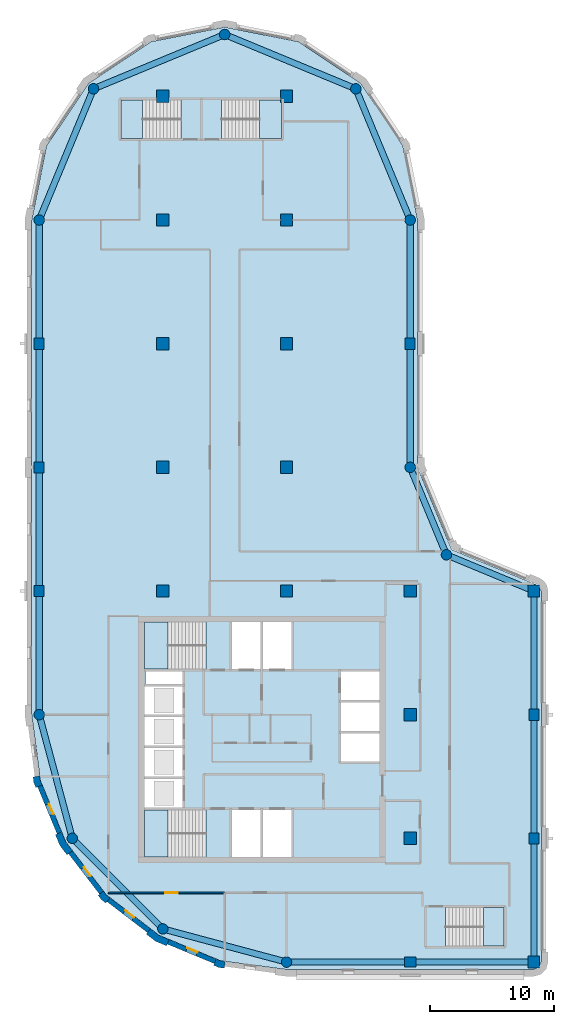
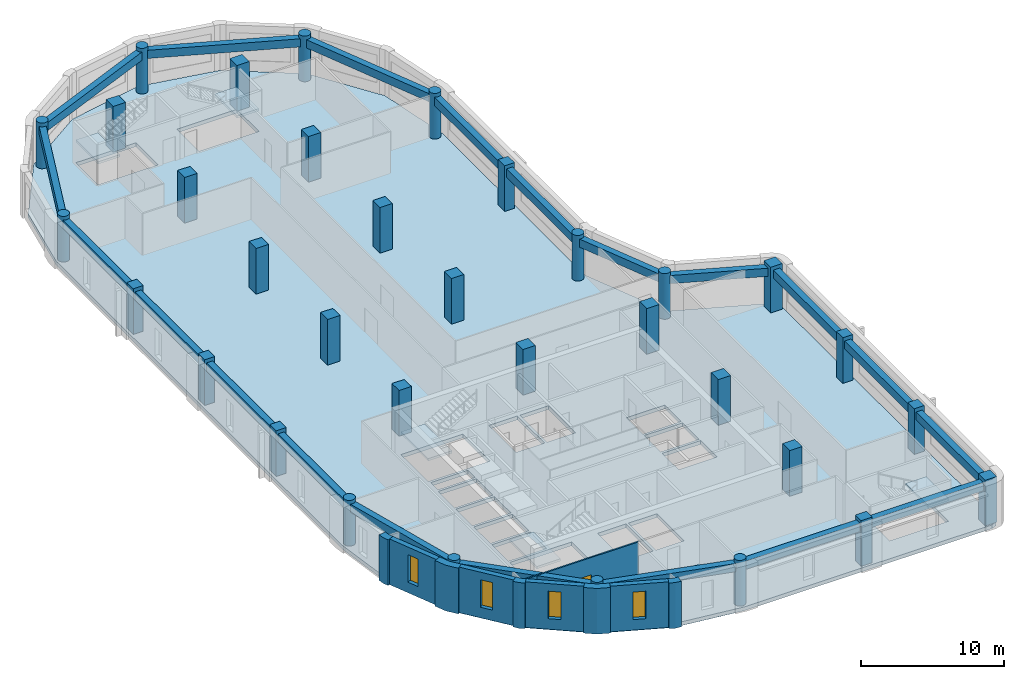
# One storey, part 1 of 8: 33 columns, 20 beams, 10 walls, 6 slabs, 4 windows, 1 door, 5 openings, 5 elements without a shape of their own.
"""IFC4 building model written with IfcOpenShell, lengths in metres."""

from ifc_helpers import new_model, si_unit, direction, frame, frame_2d, origin, origin_2d, place, context, subcontext, project, spatial, polyline, rectangle, circle, outline, extrude, material, layer, layer_set, material_profile, profile_set, type_object, element, fill, aggregate, save


model = new_model("IFC4")

# Units and contexts
model_context = context("Model", 3, precision=1e-05, world=origin(), true_north=direction((0.0, 1.0)))
body_context = subcontext(model_context, "Body", "Model", "MODEL_VIEW")
ifc_project = project(units=[si_unit("LENGTHUNIT", "METRE"), si_unit("AREAUNIT", "SQUARE_METRE"), si_unit("VOLUMEUNIT", "CUBIC_METRE"), si_unit("PLANEANGLEUNIT", "RADIAN"), si_unit("MASSUNIT", "GRAM", prefix="KILO")], contexts=[model_context])

# Site, building, storey
site_placement = place(None, origin())
site = spatial("IfcSite", under=ifc_project, at=site_placement, CompositionType="ELEMENT")
building_placement = place(site_placement, origin())
building = spatial("IfcBuilding", under=site, at=building_placement, Name="Qaws Garden Tower", CompositionType="ELEMENT")
storey_placement = place(building_placement, frame((0.0, 0.0, 286.5)))
storey = spatial("IfcBuildingStorey", under=building, at=storey_placement, Name="L69", CompositionType="ELEMENT", Elevation=286.5)

# Columns
ifc_material_1 = material(Name="Concrete C60", Category="concrete")
ifc_material_profile_1 = material_profile(ifc_material_1, rectangle(XDim=1.0, YDim=1.0, at=origin_2d()), Name="RC 1000x1000")
ifc_profile_set_1 = profile_set([ifc_material_profile_1], Name="Concrete C60")
column_type_1 = type_object("IfcColumnType", Name="Column RC 1000x1000 C60", PredefinedType="COLUMN", material=ifc_profile_set_1)
for number, where, z_axis, x_axis, name in (
    (1, (10.0, 30.0, 0.0), (0.0, 0.0, 1.0), (1.0, 0.0, 0.0), "Column L69-021"),
    (2, (10.0, 40.0, 0.0), (0.0, 0.0, 1.0), (1.0, 0.0, 0.0), "Column L69-022"),
    (3, (10.0, 50.0, 0.0), (0.0, 0.0, 1.0), (1.0, 0.0, 0.0), "Column L69-023"),
    (4, (10.0, 60.0, 0.0), (0.0, 0.0, 1.0), (1.0, 0.0, 0.0), "Column L69-024"),
    (5, (10.0, 70.0, 0.0), (0.0, 0.0, 1.0), (1.0, 0.0, 0.0), "Column L69-025"),
    (6, (20.0, 30.0, 0.0), (0.0, 0.0, 1.0), (1.0, 0.0, 0.0), "Column L69-026"),
    (7, (20.0, 40.0, 0.0), (0.0, 0.0, 1.0), (1.0, 0.0, 0.0), "Column L69-027"),
    (8, (20.0, 50.0, 0.0), (0.0, 0.0, 1.0), (1.0, 0.0, 0.0), "Column L69-028"),
    (9, (20.0, 60.0, 0.0), (0.0, 0.0, 1.0), (1.0, 0.0, 0.0), "Column L69-029"),
    (10, (20.0, 70.0, 0.0), (0.0, 0.0, 1.0), (1.0, 0.0, 0.0), "Column L69-030"),
    (11, (30.0, 10.0, 0.0), (0.0, 0.0, 1.0), (1.0, 0.0, 0.0), "Column L69-031"),
    (12, (30.0, 20.0, 0.0), (0.0, 0.0, 1.0), (1.0, 0.0, 0.0), "Column L69-032"),
    (13, (30.0, 30.0, 0.0), (0.0, 0.0, 1.0), (1.0, 0.0, 0.0), "Column L69-033"),
):
    element("IfcColumn", number, at=place(storey_placement, frame(where, z_axis=z_axis, x_axis=x_axis)), inside=storey, type_object=column_type_1, Name=name, PredefinedType="COLUMN", context=body_context, shape_type="SweptSolid", body=[
        extrude(rectangle(XDim=1.0, YDim=1.0, at=origin_2d()), origin(), (0.0, 0.0, 1.0), 3.89990234375),
    ])
ifc_material_2 = material(Name="Concrete C60", Category="concrete")
ifc_material_profile_2 = material_profile(ifc_material_2, rectangle(XDim=0.89990234375, YDim=0.800048828125, at=origin_2d()), Name="RC 900x800")
ifc_profile_set_2 = profile_set([ifc_material_profile_2], Name="Concrete C60")
column_type_2 = type_object("IfcColumnType", Name="Column RC 900x800 C60", PredefinedType="COLUMN", material=ifc_profile_set_2)
for number, where, z_axis, x_axis, name in (
    (14, (30.0, 0.0, 0.0), (0.0, 0.0, 1.0), (1.0, 0.0, 0.0), "Column L69-002"),
    (15, (40.0, 10.0, 0.0), (0.0, 0.0, 1.0), (0.0, 1.0, 0.0), "Column L69-004"),
    (16, (40.0, 20.0, 0.0), (0.0, 0.0, 1.0), (0.0, 1.0, 0.0), "Column L69-005"),
    (17, (30.0, 50.0, 0.0), (0.0, 0.0, 1.0), (0.0, 1.0, 0.0), "Column L69-009"),
    (18, (0.0, 50.0, 0.0), (0.0, 0.0, 1.0), (0.0, 1.0, 0.0), "Column L69-015"),
    (19, (0.0, 40.0, 0.0), (0.0, 0.0, 1.0), (0.0, 1.0, 0.0), "Column L69-016"),
    (20, (0.0, 30.0, 0.0), (0.0, 0.0, 1.0), (0.0, 1.0, 0.0), "Column L69-017"),
):
    element("IfcColumn", number, at=place(storey_placement, frame(where, z_axis=z_axis, x_axis=x_axis)), inside=storey, type_object=column_type_2, Name=name, PredefinedType="COLUMN", context=body_context, shape_type="SweptSolid", body=[
        extrude(rectangle(XDim=0.89990234375, YDim=0.800048828125, at=origin_2d()), origin(), (0.0, 0.0, 1.0), 3.89990234375),
    ])
ifc_material_3 = material(Name="Concrete C60", Category="concrete")
ifc_material_profile_3 = material_profile(ifc_material_3, rectangle(XDim=0.949951171875, YDim=0.949951171875, at=origin_2d()), Name="RC 950x950")
ifc_profile_set_3 = profile_set([ifc_material_profile_3], Name="Concrete C60")
column_type_3 = type_object("IfcColumnType", Name="Column RC 950x950 C60", PredefinedType="COLUMN", material=ifc_profile_set_3)
for number, where, z_axis, x_axis, name in (
    (21, (40.0, 0.0, 0.0), (0.0, 0.0, 1.0), (1.0, 0.0, 0.0), "Column L69-003"),
    (22, (40.0, 30.0, 0.0), (0.0, 0.0, 1.0), (1.0, 0.0, 0.0), "Column L69-006"),
):
    element("IfcColumn", number, at=place(storey_placement, frame(where, z_axis=z_axis, x_axis=x_axis)), inside=storey, type_object=column_type_3, Name=name, PredefinedType="COLUMN", context=body_context, shape_type="SweptSolid", body=[
        extrude(rectangle(XDim=0.949951171875, YDim=0.949951171875, at=origin_2d()), origin(), (0.0, 0.0, 1.0), 3.89990234375),
    ])
ifc_material_4 = material(Name="Concrete C60", Category="concrete")
ifc_material_profile_4 = material_profile(ifc_material_4, circle(Radius=0.425048828125, at=origin_2d()), Name="RC D850")
ifc_profile_set_4 = profile_set([ifc_material_profile_4], Name="Concrete C60")
column_type_4 = type_object("IfcColumnType", Name="Column RC D850 C60", PredefinedType="COLUMN", material=ifc_profile_set_4)
for number, where, z_axis, x_axis, name in (
    (23, (20.0, 0.0, 0.0), (0.0, 0.0, 1.0), (1.0, 0.0, 0.0), "Column L69-001"),
    (24, (32.928955078125, 32.928955078125, 0.0), (0.0, 0.0, 1.0), (1.0, 0.0, 0.0), "Column L69-007"),
    (25, (30.0, 40.0, 0.0), (0.0, 0.0, 1.0), (1.0, 0.0, 0.0), "Column L69-008"),
    (26, (30.0, 60.0, 0.0), (0.0, 0.0, 1.0), (1.0, 0.0, 0.0), "Column L69-010"),
    (27, (25.606689453125, 70.606689453125, 0.0), (0.0, 0.0, 1.0), (1.0, 0.0, 0.0), "Column L69-011"),
    (28, (15.0, 75.0, 0.0), (0.0, 0.0, 1.0), (1.0, 0.0, 0.0), "Column L69-012"),
    (29, (4.393310546875, 70.606689453125, 0.0), (0.0, 0.0, 1.0), (1.0, 0.0, 0.0), "Column L69-013"),
    (30, (0.0, 60.0, 0.0), (0.0, 0.0, 1.0), (1.0, 0.0, 0.0), "Column L69-014"),
    (31, (0.0, 20.0, 0.0), (0.0, 0.0, 1.0), (1.0, 0.0, 0.0), "Column L69-018"),
    (32, (2.679443359375, 10.0, 0.0), (0.0, 0.0, 1.0), (1.0, 0.0, 0.0), "Column L69-019"),
    (33, (10.0, 2.679443359375, 0.0), (0.0, 0.0, 1.0), (1.0, 0.0, 0.0), "Column L69-020"),
):
    element("IfcColumn", number, at=place(storey_placement, frame(where, z_axis=z_axis, x_axis=x_axis)), inside=storey, type_object=column_type_4, Name=name, PredefinedType="COLUMN", context=body_context, shape_type="SweptSolid", body=[
        extrude(circle(Radius=0.425048828125, at=origin_2d()), origin(), (0.0, 0.0, 1.0), 3.89990234375),
    ])

# Beams
ifc_material_5 = material(Name="Concrete C45", Category="concrete")
ifc_material_profile_5 = material_profile(ifc_material_5, rectangle(XDim=0.5, YDim=0.699951171875, at=origin_2d()), Name="RC 500x700")
ifc_profile_set_5 = profile_set([ifc_material_profile_5], Name="Concrete C45")
beam_type = type_object("IfcBeamType", Name="Spandrel beam RC 500x700 C45", PredefinedType="SPANDREL", material=ifc_profile_set_5)
for number, where, z_axis, x_axis, name in (
    (34, (20.0, 0.0, 3.22998046875), (1.0, 0.0, 0.0), (0.0, 1.0, 0.0), "Spandrel beam L69-001"),
    (35, (30.0, 0.0, 3.22998046875), (1.0, 0.0, 0.0), (0.0, 1.0, 0.0), "Spandrel beam L69-002"),
    (36, (40.0, 0.0, 3.22998046875), (0.0, 1.0, 0.0), (-1.0, 0.0, 0.0), "Spandrel beam L69-003"),
    (37, (40.0, 10.0, 3.22998046875), (0.0, 1.0, 0.0), (-1.0, 0.0, 0.0), "Spandrel beam L69-004"),
    (38, (40.0, 20.0, 3.22998046875), (0.0, 1.0, 0.0), (-1.0, 0.0, 0.0), "Spandrel beam L69-005"),
):
    element("IfcBeam", number, at=place(storey_placement, frame(where, z_axis=z_axis, x_axis=x_axis)), inside=storey, type_object=beam_type, Name=name, PredefinedType="SPANDREL", context=body_context, shape_type="SweptSolid", body=[
        extrude(rectangle(XDim=0.5, YDim=0.699951171875, at=origin_2d()), origin(), (0.0, 0.0, 1.0), 10.0),
    ])
for number, where, z_axis, x_axis, name in (
    (39, (40.0, 30.0, 3.22998046875), (-0.923878037141, 0.382687042488, 0.0), (-0.382687042488, -0.923878037141, 0.0), "Spandrel beam L69-006"),
    (40, (32.928955078125, 32.928955078125, 3.22998046875), (-0.382687042488, 0.923878037141, 0.0), (-0.923878037141, -0.382687042488, 0.0), "Spandrel beam L69-007"),
):
    element("IfcBeam", number, at=place(storey_placement, frame(where, z_axis=z_axis, x_axis=x_axis)), inside=storey, type_object=beam_type, Name=name, PredefinedType="SPANDREL", context=body_context, shape_type="SweptSolid", body=[
        extrude(rectangle(XDim=0.5, YDim=0.699951171875, at=origin_2d()), origin(), (0.0, 0.0, 1.0), 7.653564453125),
    ])
for number, where, z_axis, x_axis, name in (
    (41, (30.0, 40.0, 3.22998046875), (0.0, 1.0, 0.0), (-1.0, 0.0, 0.0), "Spandrel beam L69-008"),
    (42, (30.0, 50.0, 3.22998046875), (0.0, 1.0, 0.0), (-1.0, 0.0, 0.0), "Spandrel beam L69-009"),
):
    element("IfcBeam", number, at=place(storey_placement, frame(where, z_axis=z_axis, x_axis=x_axis)), inside=storey, type_object=beam_type, Name=name, PredefinedType="SPANDREL", context=body_context, shape_type="SweptSolid", body=[
        extrude(rectangle(XDim=0.5, YDim=0.699951171875, at=origin_2d()), origin(), (0.0, 0.0, 1.0), 10.0),
    ])
for number, where, z_axis, x_axis, name in (
    (43, (30.0, 60.0, 3.22998046875), (-0.382674207535, 0.923883353507, 0.0), (-0.923883353507, -0.382674207535, 0.0), "Spandrel beam L69-010"),
    (44, (25.606689453125, 70.606689453125, 3.22998046875), (-0.923883353507, 0.382674207535, 0.0), (-0.382674207535, -0.923883353507, 0.0), "Spandrel beam L69-011"),
    (45, (15.0, 75.0, 3.22998046875), (-0.923883353507, -0.382674207535, 0.0), (0.382674207535, -0.923883353507, 0.0), "Spandrel beam L69-012"),
    (46, (4.393310546875, 70.606689453125, 3.22998046875), (-0.382674207535, -0.923883353507, 0.0), (0.923883353507, -0.382674207535, 0.0), "Spandrel beam L69-013"),
):
    element("IfcBeam", number, at=place(storey_placement, frame(where, z_axis=z_axis, x_axis=x_axis)), inside=storey, type_object=beam_type, Name=name, PredefinedType="SPANDREL", context=body_context, shape_type="SweptSolid", body=[
        extrude(rectangle(XDim=0.5, YDim=0.699951171875, at=origin_2d()), origin(), (0.0, 0.0, 1.0), 11.48046875),
    ])
for number, where, z_axis, x_axis, name in (
    (47, (0.0, 60.0, 3.22998046875), (0.0, -1.0, 0.0), (1.0, 0.0, 0.0), "Spandrel beam L69-014"),
    (48, (0.0, 50.0, 3.22998046875), (0.0, -1.0, 0.0), (1.0, 0.0, 0.0), "Spandrel beam L69-015"),
    (49, (0.0, 40.0, 3.22998046875), (0.0, -1.0, 0.0), (1.0, 0.0, 0.0), "Spandrel beam L69-016"),
    (50, (0.0, 30.0, 3.22998046875), (0.0, -1.0, 0.0), (1.0, 0.0, 0.0), "Spandrel beam L69-017"),
):
    element("IfcBeam", number, at=place(storey_placement, frame(where, z_axis=z_axis, x_axis=x_axis)), inside=storey, type_object=beam_type, Name=name, PredefinedType="SPANDREL", context=body_context, shape_type="SweptSolid", body=[
        extrude(rectangle(XDim=0.5, YDim=0.699951171875, at=origin_2d()), origin(), (0.0, 0.0, 1.0), 10.0),
    ])
for number, where, z_axis, x_axis, name in (
    (51, (0.0, 20.0, 3.22998046875), (0.25881466832, -0.965926999034, 0.0), (0.965926999034, 0.25881466832, 0.0), "Spandrel beam L69-018"),
    (52, (2.679443359375, 10.0, 3.22998046875), (0.707106781187, -0.707106781187, 0.0), (0.707106781187, 0.707106781187, 0.0), "Spandrel beam L69-019"),
    (53, (10.0, 2.679443359375, 3.22998046875), (0.965926999034, -0.25881466832, 0.0), (0.25881466832, 0.965926999034, 0.0), "Spandrel beam L69-020"),
):
    element("IfcBeam", number, at=place(storey_placement, frame(where, z_axis=z_axis, x_axis=x_axis)), inside=storey, type_object=beam_type, Name=name, PredefinedType="SPANDREL", context=body_context, shape_type="SweptSolid", body=[
        extrude(rectangle(XDim=0.5, YDim=0.699951171875, at=origin_2d()), origin(), (0.0, 0.0, 1.0), 10.352783203125),
    ])

# Slab
ifc_material_6 = material(Name="Concrete C40", Category="concrete")
ifc_layer_1 = layer(ifc_material_6, 0.320068359375)
ifc_layer_set_1 = layer_set([ifc_layer_1], Name="Concrete C40")
slab_type_1 = type_object("IfcSlabType", Name="Floor slab 320 C40", PredefinedType="FLOOR", material=ifc_layer_set_1)
slab_1_placement = place(storey_placement, frame((0.0, 0.0, -0.320068359375)))
element("IfcSlab", 54, at=slab_1_placement, inside=storey, type_object=slab_type_1, Name="Floor slab L69", PredefinedType="FLOOR", context=body_context, shape_type="SweptSolid", body=[
    extrude(outline(polyline([(0.101806640625, 14.668212890625), (-0.60009765625, 20.0), (-0.60009765625, 30.60009765625), (-0.60009765625, 60.0), (-0.60009765625, 60.0), (0.58740234375, 65.969970703125), (3.968994140625, 71.031005859375), (9.030029296875, 74.41259765625), (15.0, 75.60009765625), (20.969970703125, 74.41259765625), (26.031005859375, 71.031005859375), (29.41259765625, 65.969970703125), (30.60009765625, 60.0), (30.60009765625, 40.0), (33.353271484375, 33.353271484375), (40.0, 30.60009765625), (40.42431640625, 30.42431640625), (40.60009765625, 30.0), (40.60009765625, 0.0), (40.42431640625, -0.42431640625), (40.0, -0.60009765625), (30.60009765625, -0.60009765625), (20.0, -0.60009765625), (14.668212890625, 0.101806640625), (9.699951171875, 2.159912109375), (5.43359375, 5.43359375), (2.159912109375, 9.699951171875), (0.101806640625, 14.668212890625)]), holes=[polyline([(13.49951171875, 12.300048828125), (8.5, 12.300048828125), (8.5, 8.5), (13.49951171875, 8.5), (13.49951171875, 12.300048828125)]), polyline([(17.89990234375, 12.300048828125), (15.60009765625, 12.300048828125), (15.60009765625, 8.5), (17.89990234375, 8.5), (17.89990234375, 12.300048828125)]), polyline([(11.60009765625, 14.800048828125), (8.5, 14.800048828125), (8.5, 12.5), (11.60009765625, 12.5), (11.60009765625, 14.800048828125)]), polyline([(11.60009765625, 17.300048828125), (8.5, 17.300048828125), (8.5, 15.0), (11.60009765625, 15.0), (11.60009765625, 17.300048828125)]), polyline([(11.60009765625, 19.800048828125), (8.5, 19.800048828125), (8.5, 17.5), (11.60009765625, 17.5), (11.60009765625, 19.800048828125)]), polyline([(11.60009765625, 22.300048828125), (8.5, 22.300048828125), (8.5, 20.0), (11.60009765625, 20.0), (11.60009765625, 22.300048828125)]), polyline([(11.60009765625, 23.5), (8.60009765625, 23.5), (8.60009765625, 22.5), (11.60009765625, 22.5), (11.60009765625, 23.5)]), polyline([(13.49951171875, 27.5), (8.5, 27.5), (8.5, 23.699951171875), (13.49951171875, 23.699951171875), (13.49951171875, 27.5)]), polyline([(11.449462890625, 69.699951171875), (6.60009765625, 69.699951171875), (6.60009765625, 66.60009765625), (11.449462890625, 66.60009765625), (11.449462890625, 69.699951171875)]), polyline([(37.60009765625, 4.39990234375), (32.8505859375, 4.39990234375), (32.8505859375, 1.300048828125), (37.60009765625, 1.300048828125), (37.60009765625, 4.39990234375)]), polyline([(20.39990234375, 12.300048828125), (18.10009765625, 12.300048828125), (18.10009765625, 8.5), (20.39990234375, 8.5), (20.39990234375, 12.300048828125)]), polyline([(27.5, 18.5), (24.39990234375, 18.5), (24.39990234375, 16.199951171875), (27.5, 16.199951171875), (27.5, 18.5)]), polyline([(27.5, 21.0), (24.39990234375, 21.0), (24.39990234375, 18.699951171875), (27.5, 18.699951171875), (27.5, 21.0)]), polyline([(27.5, 23.5), (24.39990234375, 23.5), (24.39990234375, 21.199951171875), (27.5, 21.199951171875), (27.5, 23.5)]), polyline([(17.89990234375, 27.5), (15.60009765625, 27.5), (15.60009765625, 23.699951171875), (17.89990234375, 23.699951171875), (17.89990234375, 27.5)]), polyline([(20.39990234375, 23.699951171875), (20.39990234375, 27.5), (18.10009765625, 27.5), (18.10009765625, 23.699951171875), (20.39990234375, 23.699951171875)]), polyline([(19.60009765625, 66.60009765625), (19.60009765625, 69.699951171875), (14.75048828125, 69.699951171875), (14.75048828125, 66.60009765625), (19.60009765625, 66.60009765625)])]), origin(), (0.0, 0.0, 1.0), 0.320068359375),
])

# Stair, slab
ifc_material_7 = material(Name="Concrete C40", Category="concrete")
stair_type_1 = type_object("IfcStairType", Name="Exit stair 1500", PredefinedType="HALF_TURN_STAIR", material=ifc_material_7)
placement_1 = place(storey_placement, origin())
stair_1 = element("IfcStair", 55, at=placement_1, inside=storey, type_object=stair_type_1, Name="Stair 1", PredefinedType="HALF_TURN_STAIR")
ifc_material_8 = material(Name="Concrete C40", Category="concrete")
ifc_layer_2 = layer(ifc_material_8, 0.199951171875)
ifc_layer_set_2 = layer_set([ifc_layer_2], Name="Concrete C40")
slab_type_2 = type_object("IfcSlabType", Name="Stair landing 200", PredefinedType="LANDING", material=ifc_layer_set_2)
placement_2 = place(storey_placement, frame((0.0, 0.0, 1.75)))
slab_2 = element("IfcSlab", 56, at=placement_2, type_object=slab_type_2, Name="ST1 landing 1", PredefinedType="LANDING", context=body_context, shape_type="SweptSolid", body=[
    extrude(outline(polyline([(8.5, 8.5), (10.419921875, 8.5), (10.419921875, 12.300048828125), (8.5, 12.300048828125), (8.5, 8.5)])), origin(), (0.0, 0.0, 1.0), 0.199951171875),
])
aggregate(stair_1, [slab_2])

stair_2 = element("IfcStair", 57, at=placement_1, inside=storey, type_object=stair_type_1, Name="Stair 4", PredefinedType="HALF_TURN_STAIR")
slab_3 = element("IfcSlab", 58, at=placement_2, type_object=slab_type_2, Name="ST4 landing 1", PredefinedType="LANDING", context=body_context, shape_type="SweptSolid", body=[
    extrude(outline(polyline([(8.5, 23.699951171875), (10.419921875, 23.699951171875), (10.419921875, 27.5), (8.5, 27.5), (8.5, 23.699951171875)])), origin(), (0.0, 0.0, 1.0), 0.199951171875),
])
aggregate(stair_2, [slab_3])

ifc_material_9 = material(Name="Concrete C40", Category="concrete")
stair_type_2 = type_object("IfcStairType", Name="Exit stair 1350", PredefinedType="HALF_TURN_STAIR", material=ifc_material_9)
stair_3 = element("IfcStair", 59, at=placement_1, inside=storey, type_object=stair_type_2, Name="Stair 5", PredefinedType="HALF_TURN_STAIR")
slab_4 = element("IfcSlab", 60, at=placement_2, type_object=slab_type_2, Name="ST5 landing 1", PredefinedType="LANDING", context=body_context, shape_type="SweptSolid", body=[
    extrude(outline(polyline([(35.929931640625, 1.300048828125), (37.60009765625, 1.300048828125), (37.60009765625, 4.39990234375), (35.929931640625, 4.39990234375), (35.929931640625, 1.300048828125)])), origin(), (0.0, 0.0, 1.0), 0.199951171875),
])
aggregate(stair_3, [slab_4])

stair_4 = element("IfcStair", 61, at=placement_1, inside=storey, type_object=stair_type_2, Name="Stair 6", PredefinedType="HALF_TURN_STAIR")
slab_5 = element("IfcSlab", 62, at=placement_2, type_object=slab_type_2, Name="ST6 landing 1", PredefinedType="LANDING", context=body_context, shape_type="SweptSolid", body=[
    extrude(outline(polyline([(6.60009765625, 66.60009765625), (8.3701171875, 66.60009765625), (8.3701171875, 69.699951171875), (6.60009765625, 69.699951171875), (6.60009765625, 66.60009765625)])), origin(), (0.0, 0.0, 1.0), 0.199951171875),
])
aggregate(stair_4, [slab_5])

stair_5 = element("IfcStair", 63, at=placement_1, inside=storey, type_object=stair_type_2, Name="Stair 7", PredefinedType="HALF_TURN_STAIR")
slab_6 = element("IfcSlab", 64, at=placement_2, type_object=slab_type_2, Name="ST7 landing 1", PredefinedType="LANDING", context=body_context, shape_type="SweptSolid", body=[
    extrude(outline(polyline([(17.830078125, 66.60009765625), (19.60009765625, 66.60009765625), (19.60009765625, 69.699951171875), (17.830078125, 69.699951171875), (17.830078125, 66.60009765625)])), origin(), (0.0, 0.0, 1.0), 0.199951171875),
])
aggregate(stair_5, [slab_6])

# Wall, opening, window
ifc_material_10 = material(Name="Clay facing brick masonry", Category="masonry")
ifc_layer_3 = layer(ifc_material_10, 0.39990234375)
ifc_layer_set_3 = layer_set([ifc_layer_3], Name="Clay facing brick masonry")
wall_type_1 = type_object("IfcWallType", Name="Brick infill wall 400", PredefinedType="SOLIDWALL", material=ifc_layer_set_3)
wall_1_placement = place(storey_placement, frame((0.05712890625, 14.240234375, 0.0), z_axis=(0.0, 0.0, 1.0), x_axis=(0.382721546029, -0.923863744394, 0.0)))
wall_1 = element("IfcWall", 65, at=wall_1_placement, inside=storey, type_object=wall_type_1, Name="E-L69-infill-22", PredefinedType="SOLIDWALL", context=body_context, shape_type="SweptSolid", body=[
    extrude(rectangle(XDim=4.120849609375, YDim=0.39990234375, at=frame_2d((2.060546875, 0.0))), origin(), (0.0, 0.0, 1.0), 3.89990234375),
])
opening_1_placement = place(wall_1_placement, frame((1.610595703125, 0.0, 0.89990234375)))
opening_1 = element("IfcOpeningElement", 66, at=opening_1_placement, cuts=wall_1, Name="Opening W09", PredefinedType="OPENING", context=body_context, shape_type="SweptSolid", body=[
    extrude(rectangle(XDim=0.89990234375, YDim=2.35009765625, at=frame_2d((0.449951171875, 1.175048828125))), frame((0.0, 0.2099609375, 0.0), z_axis=(0.0, -1.0, 0.0), x_axis=(1.0, 0.0, 0.0)), (0.0, 0.0, 1.0), 0.419921875),
])
ifc_material_11 = material(Name="Aluminium framed window, clear glazing", Category="aluminium")
window_type = type_object("IfcWindowType", Name="Slit window 900 x 2350", PartitioningType="SINGLE_PANEL", PredefinedType="WINDOW", material=ifc_material_11)
window_1_placement = place(opening_1_placement, origin())
window_1 = element("IfcWindow", 67, at=window_1_placement, inside=storey, type_object=window_type, Name="E-L69-window-22-0", OverallHeight=2.35009765625, OverallWidth=0.89990234375, PartitioningType="SINGLE_PANEL", PredefinedType="WINDOW", context=body_context, shape_type="SweptSolid", body=[
    extrude(rectangle(XDim=0.89990234375, YDim=2.35009765625, at=frame_2d((0.449951171875, 1.175048828125))), frame((0.0, 0.159912109375, 0.0), z_axis=(0.0, -1.0, 0.0), x_axis=(1.0, 0.0, 0.0)), (0.0, 0.0, 1.0), 0.06005859375),
])
fill(opening_1, window_1)

wall_2_placement = place(storey_placement, frame((2.53173828125, 8.87841796875, 0.0), z_axis=(0.0, 0.0, 1.0), x_axis=(0.608759824817, -0.793354571229, 0.0)))
wall_2 = element("IfcWall", 68, at=wall_2_placement, inside=storey, type_object=wall_type_1, Name="E-L69-infill-23", PredefinedType="SOLIDWALL", context=body_context, shape_type="SweptSolid", body=[
    extrude(rectangle(XDim=4.12109375, YDim=0.39990234375, at=frame_2d((2.060546875, 0.0))), origin(), (0.0, 0.0, 1.0), 3.89990234375),
])
opening_2_placement = place(wall_2_placement, frame((1.610595703125, 0.0, 0.89990234375)))
opening_2 = element("IfcOpeningElement", 69, at=opening_2_placement, cuts=wall_2, Name="Opening W09", PredefinedType="OPENING", context=body_context, shape_type="SweptSolid", body=[
    extrude(rectangle(XDim=0.89990234375, YDim=2.35009765625, at=frame_2d((0.449951171875, 1.175048828125))), frame((0.0, 0.2099609375, 0.0), z_axis=(0.0, -1.0, 0.0), x_axis=(1.0, 0.0, 0.0)), (0.0, 0.0, 1.0), 0.419921875),
])
window_2_placement = place(opening_2_placement, origin())
window_2 = element("IfcWindow", 70, at=window_2_placement, inside=storey, type_object=window_type, Name="E-L69-window-23-0", OverallHeight=2.35009765625, OverallWidth=0.89990234375, PartitioningType="SINGLE_PANEL", PredefinedType="WINDOW", context=body_context, shape_type="SweptSolid", body=[
    extrude(rectangle(XDim=0.89990234375, YDim=2.35009765625, at=frame_2d((0.449951171875, 1.175048828125))), frame((0.0, 0.159912109375, 0.0), z_axis=(0.0, -1.0, 0.0), x_axis=(1.0, 0.0, 0.0)), (0.0, 0.0, 1.0), 0.06005859375),
])
fill(opening_2, window_2)

wall_3_placement = place(storey_placement, frame((5.60888671875, 5.04052734375, 0.0), z_axis=(0.0, 0.0, 1.0), x_axis=(0.793354571229, -0.608759824817, 0.0)))
wall_3 = element("IfcWall", 71, at=wall_3_placement, inside=storey, type_object=wall_type_1, Name="E-L69-infill-24", PredefinedType="SOLIDWALL", context=body_context, shape_type="SweptSolid", body=[
    extrude(rectangle(XDim=4.12109375, YDim=0.39990234375, at=frame_2d((2.060546875, 0.0))), origin(), (0.0, 0.0, 1.0), 3.89990234375),
])
opening_3_placement = place(wall_3_placement, frame((1.610595703125, 0.0, 0.89990234375)))
opening_3 = element("IfcOpeningElement", 72, at=opening_3_placement, cuts=wall_3, Name="Opening W09", PredefinedType="OPENING", context=body_context, shape_type="SweptSolid", body=[
    extrude(rectangle(XDim=0.89990234375, YDim=2.35009765625, at=frame_2d((0.449951171875, 1.175048828125))), frame((0.0, 0.2099609375, 0.0), z_axis=(0.0, -1.0, 0.0), x_axis=(1.0, 0.0, 0.0)), (0.0, 0.0, 1.0), 0.419921875),
])
window_3_placement = place(opening_3_placement, origin())
window_3 = element("IfcWindow", 73, at=window_3_placement, inside=storey, type_object=window_type, Name="E-L69-window-24-0", OverallHeight=2.35009765625, OverallWidth=0.89990234375, PartitioningType="SINGLE_PANEL", PredefinedType="WINDOW", context=body_context, shape_type="SweptSolid", body=[
    extrude(rectangle(XDim=0.89990234375, YDim=2.35009765625, at=frame_2d((0.449951171875, 1.175048828125))), frame((0.0, 0.159912109375, 0.0), z_axis=(0.0, -1.0, 0.0), x_axis=(1.0, 0.0, 0.0)), (0.0, 0.0, 1.0), 0.06005859375),
])
fill(opening_3, window_3)

wall_4_placement = place(storey_placement, frame((10.43310546875, 1.63427734375, 0.0), z_axis=(0.0, 0.0, 1.0), x_axis=(0.923863744394, -0.382721546029, 0.0)))
wall_4 = element("IfcWall", 74, at=wall_4_placement, inside=storey, type_object=wall_type_1, Name="E-L69-infill-25", PredefinedType="SOLIDWALL", context=body_context, shape_type="SweptSolid", body=[
    extrude(rectangle(XDim=4.120849609375, YDim=0.39990234375, at=frame_2d((2.060546875, 0.0))), origin(), (0.0, 0.0, 1.0), 3.89990234375),
])
opening_4_placement = place(wall_4_placement, frame((1.610595703125, 0.0, 0.89990234375)))
opening_4 = element("IfcOpeningElement", 75, at=opening_4_placement, cuts=wall_4, Name="Opening W09", PredefinedType="OPENING", context=body_context, shape_type="SweptSolid", body=[
    extrude(rectangle(XDim=0.89990234375, YDim=2.35009765625, at=frame_2d((0.449951171875, 1.175048828125))), frame((0.0, 0.2099609375, 0.0), z_axis=(0.0, -1.0, 0.0), x_axis=(1.0, 0.0, 0.0)), (0.0, 0.0, 1.0), 0.419921875),
])
window_4_placement = place(opening_4_placement, origin())
window_4 = element("IfcWindow", 76, at=window_4_placement, inside=storey, type_object=window_type, Name="E-L69-window-25-0", OverallHeight=2.35009765625, OverallWidth=0.89990234375, PartitioningType="SINGLE_PANEL", PredefinedType="WINDOW", context=body_context, shape_type="SweptSolid", body=[
    extrude(rectangle(XDim=0.89990234375, YDim=2.35009765625, at=frame_2d((0.449951171875, 1.175048828125))), frame((0.0, 0.159912109375, 0.0), z_axis=(0.0, -1.0, 0.0), x_axis=(1.0, 0.0, 0.0)), (0.0, 0.0, 1.0), 0.06005859375),
])
fill(opening_4, window_4)

# Walls
ifc_material_12 = material(Name="Clay facing brick masonry", Category="masonry")
ifc_layer_4 = layer(ifc_material_12, 0.550048828125)
ifc_layer_set_4 = layer_set([ifc_layer_4], Name="Clay facing brick masonry")
wall_type_2 = type_object("IfcWallType", Name="Brick kink pier 550 x 600", PredefinedType="SOLIDWALL", material=ifc_layer_set_4)
element("IfcWall", 77, at=placement_1, inside=storey, type_object=wall_type_2, Name="E-L69-pier-22", PredefinedType="SOLIDWALL", context=body_context, shape_type="SweptSolid", body=[
    extrude(outline(polyline([(-0.34912109375, 14.990478515625), (-0.497802734375, 14.970947265625), (-0.43896484375, 14.5234375), (-0.26611328125, 14.1064453125), (-0.127685546875, 14.163818359375), (0.241943359375, 14.31689453125), (0.096923828125, 14.6669921875), (0.04736328125, 15.042724609375), (-0.34912109375, 14.990478515625)])), origin(), (0.0, 0.0, 1.0), 3.89990234375),
])
element("IfcWall", 78, at=placement_1, inside=storey, type_object=wall_type_2, Name="E-L69-pier-24", PredefinedType="SOLIDWALL", context=body_context, shape_type="SweptSolid", body=[
    extrude(outline(polyline([(4.8818359375, 5.487060546875), (4.762939453125, 5.395751953125), (5.03759765625, 5.03759765625), (5.395751953125, 4.762939453125), (5.487060546875, 4.8818359375), (5.730712890625, 5.19921875), (5.429931640625, 5.429931640625), (5.19921875, 5.730712890625), (4.8818359375, 5.487060546875)])), origin(), (0.0, 0.0, 1.0), 3.89990234375),
])
element("IfcWall", 79, at=placement_1, inside=storey, type_object=wall_type_2, Name="E-L69-pier-26", PredefinedType="SOLIDWALL", context=body_context, shape_type="SweptSolid", body=[
    extrude(outline(polyline([(14.163818359375, -0.127685546875), (14.1064453125, -0.26611328125), (14.5234375, -0.43896484375), (14.970947265625, -0.497802734375), (14.990478515625, -0.34912109375), (15.042724609375, 0.04736328125), (14.6669921875, 0.096923828125), (14.31689453125, 0.241943359375), (14.163818359375, -0.127685546875)])), origin(), (0.0, 0.0, 1.0), 3.89990234375),
])
ifc_material_13 = material(Name="Clay facing brick masonry", Category="masonry")
ifc_layer_5 = layer(ifc_material_13, 0.550048828125)
ifc_layer_set_5 = layer_set([ifc_layer_5], Name="Clay facing brick masonry")
wall_type_3 = type_object("IfcWallType", Name="Brick pier 550 x 1600", PredefinedType="SOLIDWALL", material=ifc_layer_set_5)
element("IfcWall", 80, at=placement_1, inside=storey, type_object=wall_type_3, Name="E-L69-pier-23", PredefinedType="SOLIDWALL", context=body_context, shape_type="SweptSolid", body=[
    extrude(outline(polyline([(1.449462890625, 10.3564453125), (1.310791015625, 10.299072265625), (1.675048828125, 9.419921875), (2.254150390625, 8.665283203125), (2.373046875, 8.756591796875), (2.6904296875, 9.0), (2.1552734375, 9.697509765625), (1.819091796875, 10.509521484375), (1.449462890625, 10.3564453125)])), origin(), (0.0, 0.0, 1.0), 3.89990234375),
])
element("IfcWall", 81, at=placement_1, inside=storey, type_object=wall_type_3, Name="E-L69-pier-25", PredefinedType="SOLIDWALL", context=body_context, shape_type="SweptSolid", body=[
    extrude(outline(polyline([(8.756591796875, 2.373046875), (8.665283203125, 2.254150390625), (9.419921875, 1.675048828125), (10.299072265625, 1.310791015625), (10.3564453125, 1.449462890625), (10.509521484375, 1.819091796875), (9.697509765625, 2.1552734375), (9.0, 2.6904296875), (8.756591796875, 2.373046875)])), origin(), (0.0, 0.0, 1.0), 3.89990234375),
])

# Wall, opening, door
ifc_material_14 = material(Name="Glass and aluminium framing", Category="aluminium")
ifc_layer_6 = layer(ifc_material_14, 0.1201171875)
ifc_layer_set_6 = layer_set([ifc_layer_6], Name="Glass and aluminium framing")
wall_type_4 = type_object("IfcWallType", Name="GLAZED PARTITION 120 EI 30", PredefinedType="PARTITIONING", material=ifc_layer_set_6)
wall_10_placement = place(storey_placement, frame((5.60009765625, 5.60009765625, 0.0), z_axis=(0.0, 0.0, 1.0), x_axis=(1.0, 0.0, 0.0)))
wall_10 = element("IfcWall", 82, at=wall_10_placement, inside=storey, type_object=wall_type_4, Name="O-L69-wall-034", PredefinedType="PARTITIONING", context=body_context, shape_type="SweptSolid", body=[
    extrude(rectangle(XDim=9.39990234375, YDim=0.1201171875, at=frame_2d((4.699951171875, 0.0))), origin(), (0.0, 0.0, 1.0), 3.580078125),
])
opening_5_placement = place(wall_10_placement, frame((4.60009765625, 0.0, 0.0)))
opening_5 = element("IfcOpeningElement", 83, at=opening_5_placement, cuts=wall_10, Name="Opening C4B06", PredefinedType="OPENING", context=body_context, shape_type="SweptSolid", body=[
    extrude(rectangle(XDim=1.0, YDim=2.10009765625, at=frame_2d((0.5, 1.050048828125))), frame((0.0, 0.070068359375, 0.0), z_axis=(0.0, -1.0, 0.0), x_axis=(1.0, 0.0, 0.0)), (0.0, 0.0, 1.0), 0.14013671875),
])
ifc_material_15 = material(Name="Timber door leaf", Category="wood")
door_type = type_object("IfcDoorType", Name="TENANCY ENTRANCE DOOR 1000 X 2100", OperationType="SINGLE_SWING_LEFT", PredefinedType="DOOR", material=ifc_material_15)
door_placement = place(opening_5_placement, frame((1.0, 0.0, 0.0), z_axis=(0.0, 0.0, 1.0), x_axis=(-1.0, 0.0, 0.0)))
door = element("IfcDoor", 84, at=door_placement, inside=storey, type_object=door_type, Name="O-L69-door-006", OperationType="SINGLE_SWING_LEFT", OverallHeight=2.10009765625, OverallWidth=1.0, PredefinedType="DOOR", context=body_context, shape_type="SweptSolid", body=[
    extrude(rectangle(XDim=1.0, YDim=2.10009765625, at=frame_2d((0.5, 1.050048828125))), frame((0.0, 0.02490234375, 0.0), z_axis=(0.0, -1.0, 0.0), x_axis=(1.0, 0.0, 0.0)), (0.0, 0.0, 1.0), 0.050048828125),
])
fill(opening_5, door)

save(model, "model.ifc")
